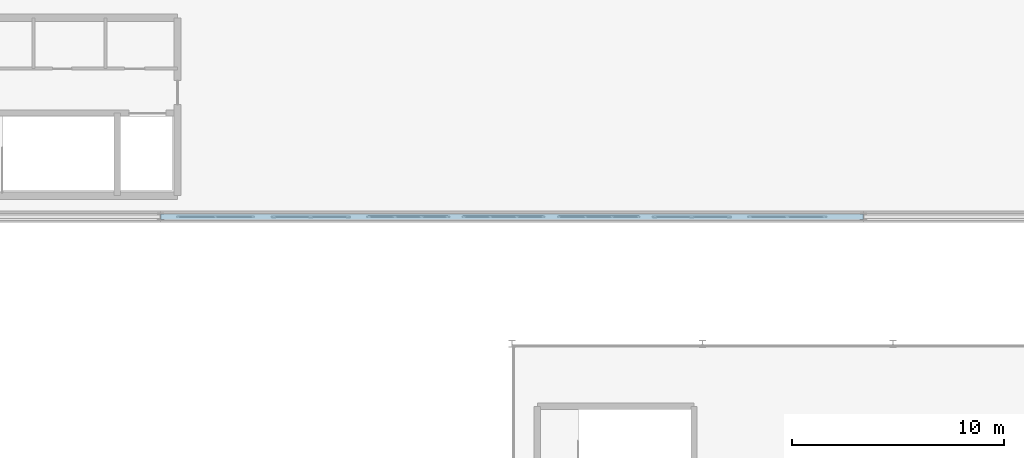
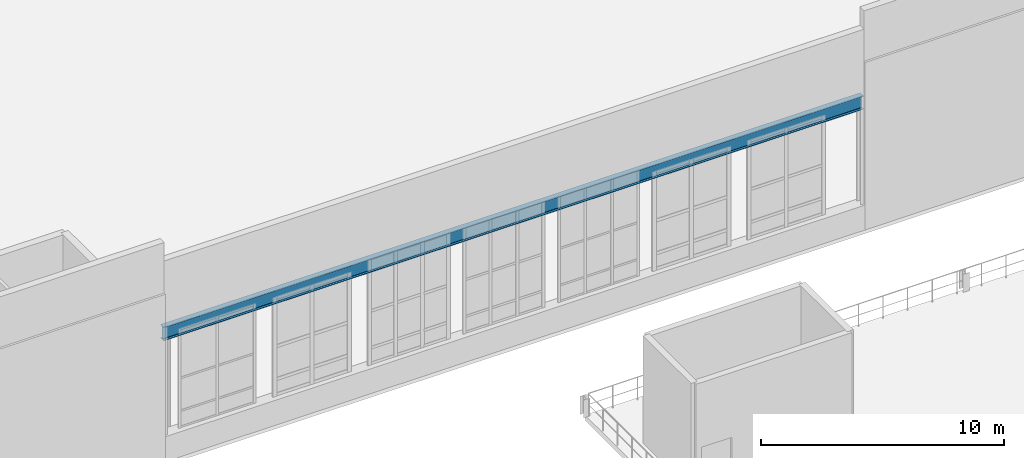
# One storey, part 20 of 97: 1 beam.
"""IFC4 building model written with IfcOpenShell, lengths in metres."""

import ifcopenshell
import ifcopenshell.guid

model = None  # the IFC model being written
_history = None  # IfcOwnerHistory: only IFC2X3 demands one
_inside = {}  # id of a spatial element -> (the spatial element, [elements in it])
_under = {}  # id of a project, library or spatial element -> (it, [spatial elements below it])
_declared = {}  # id of a project -> (the project, [libraries it declares])
_typed = {}  # id of a type object -> (the type object, [elements of that type])
_made_of = {}  # id of a material, layer set ... -> (it, [elements and type objects made of it])


def new_model(schema):
    """Start an empty IFC model of exactly this schema.

    Asked for "IFC4X3", IfcOpenShell would pick the latest addendum, in which some entities
    have other attributes; the version numbers below select the first issue.
    IFC2X3 requires an IfcOwnerHistory on every rooted entity: one is made here for all.
    """
    global model, _history
    if schema == "IFC4X3":
        model = ifcopenshell.file(schema_version=(4, 3, 0, 0))
    else:
        model = ifcopenshell.file(schema=schema)
    _inside.clear()
    _under.clear()
    _declared.clear()
    _typed.clear()
    _made_of.clear()
    _history = None
    if model.schema == "IFC2X3":
        org = make("IfcOrganization", Name="unknown")
        user = make(
            "IfcPersonAndOrganization",
            ThePerson=make("IfcPerson", FamilyName="unknown"),
            TheOrganization=org,
        )
        app = make(
            "IfcApplication",
            ApplicationDeveloper=org,
            Version="unknown",
            ApplicationFullName="unknown",
            ApplicationIdentifier="unknown",
        )
        _history = make(
            "IfcOwnerHistory",
            OwningUser=user,
            OwningApplication=app,
            ChangeAction="ADDED",
            CreationDate=0,
        )
    return model


def make(cls, **values):
    """One entity of the class cls with the attributes given. An attribute that is None is left unset."""
    return model.create_entity(
        cls, **{name: value for name, value in values.items() if value is not None}
    )


def rooted(cls, **values):
    """An entity with a GlobalId (a new one), such as an element, a storey or a relation."""
    return make(cls, GlobalId=ifcopenshell.guid.new(), OwnerHistory=_history, **values)


def si_unit(unit_type, name, prefix=None):
    """IfcSIUnit, for example si_unit("LENGTHUNIT", "METRE", prefix="MILLI")."""
    return make("IfcSIUnit", UnitType=unit_type, Prefix=prefix, Name=name)


def derived_unit(unit_type, elements):
    """IfcDerivedUnit: a product of units, each with its exponent."""
    return make(
        "IfcDerivedUnit",
        Elements=[
            make("IfcDerivedUnitElement", Unit=unit, Exponent=power)
            for unit, power in elements
        ],
        UnitType=unit_type,
    )


def assignment(units):
    """IfcUnitAssignment: the units of a project."""
    return None if units is None else make("IfcUnitAssignment", Units=units)


def point(xyz):
    """IfcCartesianPoint."""
    return None if xyz is None else make("IfcCartesianPoint", Coordinates=xyz)


def direction(xyz):
    """IfcDirection."""
    return None if xyz is None else make("IfcDirection", DirectionRatios=xyz)


def frame(location, z_axis=None, x_axis=None):
    """IfcAxis2Placement3D, a coordinate frame: its origin and axes. An axis left out is left unset."""
    return make(
        "IfcAxis2Placement3D",
        Location=point(location),
        Axis=direction(z_axis),
        RefDirection=direction(x_axis),
    )


def frame_2d(location, x_axis=None):
    """IfcAxis2Placement2D, a coordinate frame in the plane: its origin and x axis."""
    return make(
        "IfcAxis2Placement2D", Location=point(location), RefDirection=direction(x_axis)
    )


def origin():
    """The frame at (0, 0, 0) with its axes left unset."""
    return frame((0.0, 0.0, 0.0))


def origin_2d():
    """The frame at (0, 0) in the plane with its x axis left unset."""
    return frame_2d((0.0, 0.0))


def place(relative_to, where):
    """IfcLocalPlacement: puts the frame where relative to a parent placement (None: the world)."""
    return make(
        "IfcLocalPlacement", PlacementRelTo=relative_to, RelativePlacement=where
    )


def context(
    kind, dimensions, precision=None, world=None, true_north=None, identifier=None
):
    """IfcGeometricRepresentationContext, for example the 3D "Model" context."""
    return make(
        "IfcGeometricRepresentationContext",
        ContextIdentifier=identifier,
        ContextType=kind,
        CoordinateSpaceDimension=dimensions,
        Precision=precision,
        WorldCoordinateSystem=world,
        TrueNorth=true_north,
    )


def subcontext(parent, identifier, kind, view, scale=None):
    """IfcGeometricRepresentationSubContext, for example "Body" below "Model"."""
    return make(
        "IfcGeometricRepresentationSubContext",
        ContextIdentifier=identifier,
        ContextType=kind,
        ParentContext=parent,
        TargetScale=scale,
        TargetView=view,
    )


def project(units=None, contexts=None):
    """IfcProject with its units and contexts."""
    return rooted(
        "IfcProject",
        Name="project",
        RepresentationContexts=contexts,
        UnitsInContext=assignment(units),
    )


def spatial(cls, under=None, at=None, **own):
    """A site, building, storey or space (cls), placed at a placement, below another one or the project."""
    s = rooted(cls, ObjectPlacement=at, **own)
    if under is not None:
        _under.setdefault(under.id(), (under, []))[1].append(s)
    return s


def profile(cls, at=None, kind="AREA", **sizes):
    """A parametric profile (cls). Its sizes go by their IFC names, for example OverallWidth=200.0."""
    return make(cls, ProfileType=kind, Position=at, **sizes)


def i_section(**sizes):
    """IfcIShapeProfileDef."""
    return profile("IfcIShapeProfileDef", **sizes)


def extrude(swept, where, along, depth):
    """IfcExtrudedAreaSolid: the profile swept, set in the frame where, extruded along a direction by depth."""
    return make(
        "IfcExtrudedAreaSolid",
        SweptArea=swept,
        Position=where,
        ExtrudedDirection=direction(along),
        Depth=depth,
    )


def shape(context_of_items, identifier, shape_type, items):
    """IfcShapeRepresentation: the items that make up one representation, for example the "Body"."""
    return make(
        "IfcShapeRepresentation",
        ContextOfItems=context_of_items,
        RepresentationIdentifier=identifier,
        RepresentationType=shape_type,
        Items=items,
    )


def material(Name=None, Category=None):
    """IfcMaterial."""
    return make("IfcMaterial", Name=Name, Category=Category)


def material_profile(
    of_material, cross_section, Name=None, Category=None, Priority=None
):
    """IfcMaterialProfile: a cross section and its material."""
    return make(
        "IfcMaterialProfile",
        Name=Name,
        Material=of_material,
        Profile=cross_section,
        Priority=Priority,
        Category=Category,
    )


def profile_set(profiles, Name=None, composite=None):
    """IfcMaterialProfileSet."""
    return make(
        "IfcMaterialProfileSet",
        Name=Name,
        MaterialProfiles=profiles,
        CompositeProfile=composite,
    )


def made_of(thing, what):
    """Note that an element or type object is made of a material, layer set ...; save() writes the relation."""
    if what is not None:
        _made_of.setdefault(what.id(), (what, []))[1].append(thing)
    return thing


def type_object(cls, material=None, **own):
    """A type object (cls), such as IfcWallType, which elements share."""
    return made_of(rooted(cls, **own), material)


def element(
    cls,
    number,
    at=None,
    inside=None,
    cuts=None,
    type_object=None,
    material=None,
    context=None,
    identifier="Body",
    shape_type=None,
    held_by="IfcProductDefinitionShape",
    body=None,
    shapes=None,
    **own,
):
    """One element of the class cls, such as IfcWall. Its Tag is "e" and its number.

    at: its placement. inside: the storey or other place that contains it. cuts: it is an
    opening in that element (IfcRelVoidsElement). A single representation is given by context,
    identifier, shape_type and body (its items); several are given by shapes. held_by: the class
    of the entity that holds the representations. save() writes the other relations.
    """
    e = rooted(cls, Tag="e%d" % number, ObjectPlacement=at, **own)
    if body is not None:
        shapes = [shape(context, identifier, shape_type, body)]
    if shapes is not None:
        e.Representation = make(held_by, Representations=shapes)
    if inside is not None:
        _inside.setdefault(inside.id(), (inside, []))[1].append(e)
    if cuts is not None:
        rooted(
            "IfcRelVoidsElement", RelatingBuildingElement=cuts, RelatedOpeningElement=e
        )
    if type_object is not None:
        _typed.setdefault(type_object.id(), (type_object, []))[1].append(e)
    return made_of(e, material)


def aggregate(whole, parts):
    """IfcRelAggregates: a whole, such as a stair, and the parts it consists of."""
    return rooted("IfcRelAggregates", RelatingObject=whole, RelatedObjects=parts)


def save(model, path):
    """Write the relations noted so far, then the file.

    IfcRelAggregates (storeys below a building ...), IfcRelContainedInSpatialStructure (elements
    in a storey), IfcRelDefinesByType, IfcRelAssociatesMaterial and IfcRelDeclares: one each for
    every whole, place, type object, material and project.
    """
    for whole, parts in _under.values():
        aggregate(whole, parts)
    for where, things in _inside.values():
        rooted(
            "IfcRelContainedInSpatialStructure",
            RelatedElements=things,
            RelatingStructure=where,
        )
    for kind, things in _typed.values():
        rooted("IfcRelDefinesByType", RelatedObjects=things, RelatingType=kind)
    for what, things in _made_of.values():
        rooted("IfcRelAssociatesMaterial", RelatedObjects=things, RelatingMaterial=what)
    for by, libraries in _declared.values():
        rooted("IfcRelDeclares", RelatingContext=by, RelatedDefinitions=libraries)
    model.write(path)


model = new_model("IFC4")

# Units and contexts
model_context = context("Model", 3, precision=1e-05, world=origin(), true_north=direction((0.0, 1.0)))
body_context = subcontext(model_context, "Body", "Model", "MODEL_VIEW")
ifc_project = project(units=[si_unit("LENGTHUNIT", "METRE"), si_unit("AREAUNIT", "SQUARE_METRE"), si_unit("VOLUMEUNIT", "CUBIC_METRE"), si_unit("PLANEANGLEUNIT", "RADIAN"), si_unit("MASSUNIT", "GRAM", prefix="KILO"), derived_unit("THERMALTRANSMITTANCEUNIT", [(si_unit("POWERUNIT", "WATT"), 1), (si_unit("LENGTHUNIT", "METRE"), -2), (si_unit("THERMODYNAMICTEMPERATUREUNIT", "KELVIN"), -1)])], contexts=[model_context])

# Site, building, storey
site_placement = place(None, origin())
site = spatial("IfcSite", under=ifc_project, at=site_placement, CompositionType="ELEMENT")
building_placement = place(site_placement, origin())
building = spatial("IfcBuilding", under=site, at=building_placement, Name="Almenara Railside Exhibition Hall", CompositionType="ELEMENT")
storey_placement = place(building_placement, frame((0.0, 0.0, 10.800048828125)))
storey = spatial("IfcBuildingStorey", under=building, at=storey_placement, Name="L02", CompositionType="ELEMENT", Elevation=10.800048828125)

# Beam
ifc_material = material(Name="Structural steel S355JR", Category="steel")
ifc_material_profile = material_profile(ifc_material, i_section(OverallWidth=0.253662109375, OverallDepth=0.68359375, WebThickness=0.012451171875, FlangeThickness=0.01904296875, FilletRadius=0.01513671875, at=origin_2d()), Name="UB 686x254x140")
ifc_profile_set = profile_set([ifc_material_profile], Name="Structural steel S355JR")
beam_type = type_object("IfcBeamType", Name="Steel Heavy Deck Girder UB 686x254x140 S355JR", PredefinedType="USERDEFINED", material=ifc_profile_set)
beam_placement = place(storey_placement, frame((22.39990234375, 48.0, 6.307861328125), z_axis=(1.0, 0.0, 0.0), x_axis=(0.0, 1.0, 0.0)))
element("IfcBeam", 1, at=beam_placement, inside=storey, type_object=beam_type, Name="BM-CRNLNT-V1G2-48", ObjectType="GIRDER", PredefinedType="USERDEFINED", context=body_context, shape_type="SweptSolid", body=[
    extrude(i_section(OverallWidth=0.253662109375, OverallDepth=0.68359375, WebThickness=0.012451171875, FlangeThickness=0.01904296875, FilletRadius=0.01513671875, at=origin_2d()), origin(), (0.0, 0.0, 1.0), 33.2001953125),
])

save(model, "model.ifc")
